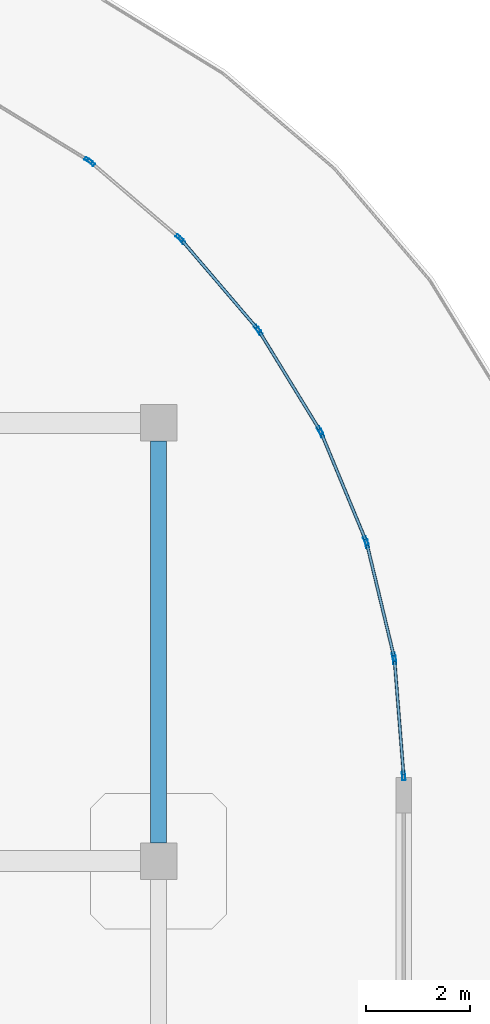
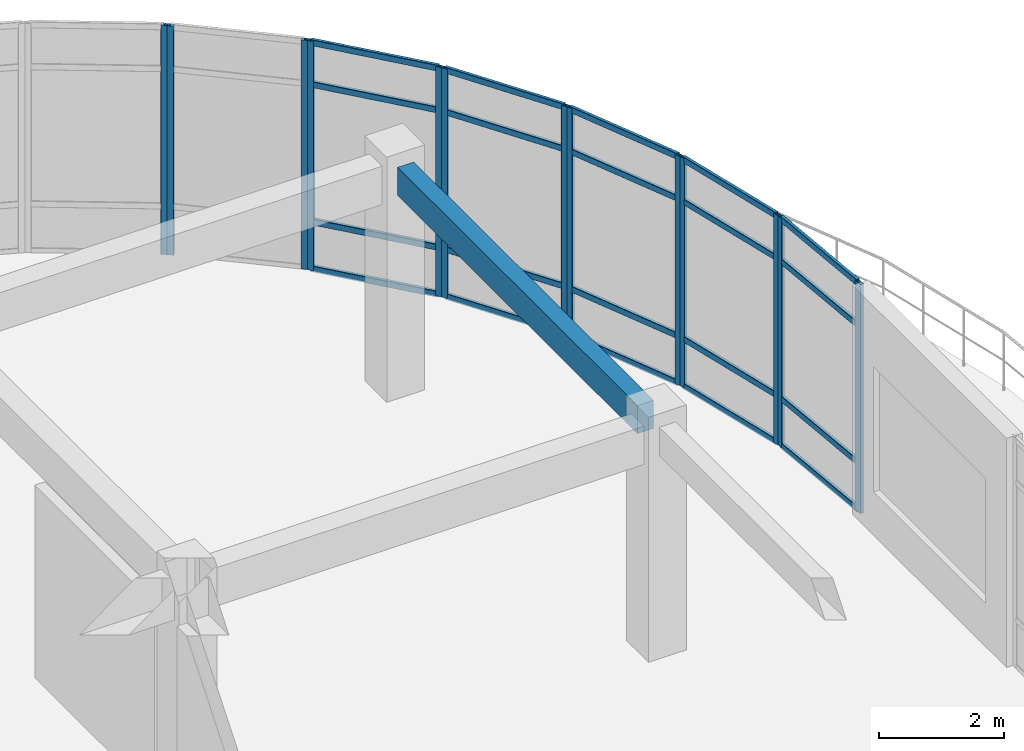
# One storey, part 49 of 76: 33 members, 1 beam, 7 elements without a shape of their own.
"""IFC4 building model written with IfcOpenShell, lengths in metres."""

from ifc_helpers import new_model, si_unit, derived_unit, direction, frame, origin, origin_2d, place, context, subcontext, project, spatial, rectangle, hollow_rectangle, extrude, material, layer, layer_set, material_profile, profile_set, type_object, element, aggregate, save


model = new_model("IFC4")

# Units and contexts
model_context = context("Model", 3, precision=1e-05, world=origin(), true_north=direction((0.0, 1.0)))
body_context = subcontext(model_context, "Body", "Model", "MODEL_VIEW")
ifc_project = project(units=[si_unit("LENGTHUNIT", "METRE"), si_unit("AREAUNIT", "SQUARE_METRE"), si_unit("VOLUMEUNIT", "CUBIC_METRE"), si_unit("PLANEANGLEUNIT", "RADIAN"), si_unit("MASSUNIT", "GRAM", prefix="KILO"), derived_unit("THERMALTRANSMITTANCEUNIT", [(si_unit("MASSUNIT", "GRAM", prefix="KILO"), 1), (si_unit("TIMEUNIT", "SECOND"), -3), (si_unit("THERMODYNAMICTEMPERATUREUNIT", "KELVIN"), -1)])], contexts=[model_context])

# Site, building, storey
site_placement = place(None, origin())
site = spatial("IfcSite", under=ifc_project, at=site_placement, CompositionType="ELEMENT")
building_placement = place(site_placement, origin())
building = spatial("IfcBuilding", under=site, at=building_placement, Name="Qinzheling Arcade Emporium", CompositionType="ELEMENT")
storey_placement = place(building_placement, frame((0.0, 0.0, 26.699951171875)))
storey = spatial("IfcBuildingStorey", under=building, at=storey_placement, Name="L06", CompositionType="ELEMENT", Elevation=26.699951171875)

# Curtain wall, member
ifc_material_1 = material(Name="Anodised aluminium and solar-control double glazing", Category="aluminium")
ifc_layer_1 = layer(ifc_material_1, 0.159912109375, Name="Anodised aluminium and solar-control double glazing", Category="aluminium")
ifc_layer_set_1 = layer_set([ifc_layer_1], Name="Anodised aluminium and solar-control double glazing")
curtain_wall_type_1 = type_object("IfcCurtainWallType", Name="Curved Ribbon Sales Curtain Wall", PredefinedType="NOTDEFINED", material=ifc_layer_set_1)
curtain_wall_1_placement = place(storey_placement, origin())
curtain_wall_1 = element("IfcCurtainWall", 1, at=curtain_wall_1_placement, inside=storey, type_object=curtain_wall_type_1, Name="Curtain Wall CW-L06-386", PredefinedType="NOTDEFINED")
ifc_material_2 = material(Name="Anodised aluminium 6063-T6", Category="aluminium")
ifc_material_profile_1 = material_profile(ifc_material_2, hollow_rectangle(XDim=0.06005859375, YDim=0.159912109375, WallThickness=0.00390625, InnerFilletRadius=0.00390625, OuterFilletRadius=0.008056640625, at=origin_2d()), Name="RHS 160x60x4", Category="aluminium")
ifc_profile_set_1 = profile_set([ifc_material_profile_1], Name="Anodised aluminium 6063-T6")
member_type_1 = type_object("IfcMemberType", Name="Curtain Wall Mullion RHS160x60", PredefinedType="MULLION", material=ifc_profile_set_1)
member_1_placement = place(storey_placement, frame((129.156494140625, 104.027587890625, 0.0), z_axis=(0.0, 0.0, 1.0), x_axis=(0.522367613156, 0.852720397742, 0.0)))
member_1 = element("IfcMember", 2, at=member_1_placement, type_object=member_type_1, Name="CW02 mullion 2", PredefinedType="MULLION", context=body_context, shape_type="SweptSolid", body=[
    extrude(hollow_rectangle(XDim=0.06005859375, YDim=0.159912109375, WallThickness=0.00390625, InnerFilletRadius=0.00390625, OuterFilletRadius=0.008056640625, at=origin_2d()), origin(), (0.0, 0.0, 1.0), 4.489990234375),
])
aggregate(curtain_wall_1, [member_1])

# Curtain wall, members
curtain_wall_2_placement = place(storey_placement, origin())
curtain_wall_2 = element("IfcCurtainWall", 3, at=curtain_wall_2_placement, inside=storey, type_object=curtain_wall_type_1, Name="Curtain Wall CW-L06-387", PredefinedType="NOTDEFINED")
member_2_placement = place(storey_placement, frame((129.204833984375, 103.992431640625, 0.0), z_axis=(0.0, 0.0, 1.0), x_axis=(0.649496365247, 0.7603646964, 0.0)))
member_2 = element("IfcMember", 4, at=member_2_placement, type_object=member_type_1, Name="CW02 mullion 1", PredefinedType="MULLION", context=body_context, shape_type="SweptSolid", body=[
    extrude(hollow_rectangle(XDim=0.06005859375, YDim=0.159912109375, WallThickness=0.00390625, InnerFilletRadius=0.00390625, OuterFilletRadius=0.008056640625, at=origin_2d()), origin(), (0.0, 0.0, 1.0), 4.489990234375),
])
member_3_placement = place(storey_placement, frame((130.901123046875, 102.54345703125, 0.0), z_axis=(0.0, 0.0, 1.0), x_axis=(0.649496365247, 0.7603646964, 0.0)))
member_3 = element("IfcMember", 5, at=member_3_placement, type_object=member_type_1, Name="CW02 mullion 2", PredefinedType="MULLION", context=body_context, shape_type="SweptSolid", body=[
    extrude(hollow_rectangle(XDim=0.06005859375, YDim=0.159912109375, WallThickness=0.00390625, InnerFilletRadius=0.00390625, OuterFilletRadius=0.008056640625, at=origin_2d()), origin(), (0.0, 0.0, 1.0), 4.489990234375),
])
aggregate(curtain_wall_2, [member_2, member_3])

curtain_wall_3_placement = place(storey_placement, origin())
curtain_wall_3 = element("IfcCurtainWall", 6, at=curtain_wall_3_placement, inside=storey, type_object=curtain_wall_type_1, Name="Curtain Wall CW-L06-388", PredefinedType="NOTDEFINED")
member_4_placement = place(storey_placement, frame((130.943603515625, 102.501220703125, 0.0), z_axis=(0.0, 0.0, 1.0), x_axis=(0.7603646964, 0.649496365247, 0.0)))
member_4 = element("IfcMember", 7, at=member_4_placement, type_object=member_type_1, Name="CW02 mullion 1", PredefinedType="MULLION", context=body_context, shape_type="SweptSolid", body=[
    extrude(hollow_rectangle(XDim=0.06005859375, YDim=0.159912109375, WallThickness=0.00390625, InnerFilletRadius=0.00390625, OuterFilletRadius=0.008056640625, at=origin_2d()), origin(), (0.0, 0.0, 1.0), 4.489990234375),
])
member_5_placement = place(storey_placement, frame((132.392578125, 100.804931640625, 0.0), z_axis=(0.0, 0.0, 1.0), x_axis=(0.7603646964, 0.649496365247, 0.0)))
member_5 = element("IfcMember", 8, at=member_5_placement, type_object=member_type_1, Name="CW02 mullion 2", PredefinedType="MULLION", context=body_context, shape_type="SweptSolid", body=[
    extrude(hollow_rectangle(XDim=0.06005859375, YDim=0.159912109375, WallThickness=0.00390625, InnerFilletRadius=0.00390625, OuterFilletRadius=0.008056640625, at=origin_2d()), origin(), (0.0, 0.0, 1.0), 4.489990234375),
])

curtain_wall_4_placement = place(storey_placement, origin())
curtain_wall_4 = element("IfcCurtainWall", 9, at=curtain_wall_4_placement, inside=storey, type_object=curtain_wall_type_1, Name="Curtain Wall CW-L06-389", PredefinedType="NOTDEFINED")
member_6_placement = place(storey_placement, frame((132.427734375, 100.75634765625, 0.0), z_axis=(0.0, 0.0, 1.0), x_axis=(0.852720397742, 0.522367613156, 0.0)))
member_6 = element("IfcMember", 10, at=member_6_placement, type_object=member_type_1, Name="CW02 mullion 1", PredefinedType="MULLION", context=body_context, shape_type="SweptSolid", body=[
    extrude(hollow_rectangle(XDim=0.06005859375, YDim=0.159912109375, WallThickness=0.00390625, InnerFilletRadius=0.00390625, OuterFilletRadius=0.008056640625, at=origin_2d()), origin(), (0.0, 0.0, 1.0), 4.489990234375),
])
member_7_placement = place(storey_placement, frame((133.59326171875, 98.853515625, 0.0), z_axis=(0.0, 0.0, 1.0), x_axis=(0.852720397742, 0.522367613156, 0.0)))
member_7 = element("IfcMember", 11, at=member_7_placement, type_object=member_type_1, Name="CW02 mullion 2", PredefinedType="MULLION", context=body_context, shape_type="SweptSolid", body=[
    extrude(hollow_rectangle(XDim=0.06005859375, YDim=0.159912109375, WallThickness=0.00390625, InnerFilletRadius=0.00390625, OuterFilletRadius=0.008056640625, at=origin_2d()), origin(), (0.0, 0.0, 1.0), 4.489990234375),
])

curtain_wall_5_placement = place(storey_placement, origin())
curtain_wall_5 = element("IfcCurtainWall", 12, at=curtain_wall_5_placement, inside=storey, type_object=curtain_wall_type_1, Name="Curtain Wall CW-L06-390", PredefinedType="NOTDEFINED")
member_8_placement = place(storey_placement, frame((133.620361328125, 98.80029296875, 0.0), z_axis=(0.0, 0.0, 1.0), x_axis=(0.923952984308, 0.382506055886, 0.0)))
member_8 = element("IfcMember", 13, at=member_8_placement, type_object=member_type_1, Name="CW02 mullion 1", PredefinedType="MULLION", context=body_context, shape_type="SweptSolid", body=[
    extrude(hollow_rectangle(XDim=0.06005859375, YDim=0.159912109375, WallThickness=0.00390625, InnerFilletRadius=0.00390625, OuterFilletRadius=0.008056640625, at=origin_2d()), origin(), (0.0, 0.0, 1.0), 4.489990234375),
])
member_9_placement = place(storey_placement, frame((134.4736328125, 96.73974609375, 0.0), z_axis=(0.0, 0.0, 1.0), x_axis=(0.923952984308, 0.382506055886, 0.0)))
member_9 = element("IfcMember", 14, at=member_9_placement, type_object=member_type_1, Name="CW02 mullion 2", PredefinedType="MULLION", context=body_context, shape_type="SweptSolid", body=[
    extrude(hollow_rectangle(XDim=0.06005859375, YDim=0.159912109375, WallThickness=0.00390625, InnerFilletRadius=0.00390625, OuterFilletRadius=0.008056640625, at=origin_2d()), origin(), (0.0, 0.0, 1.0), 4.489990234375),
])

curtain_wall_6_placement = place(storey_placement, origin())
curtain_wall_6 = element("IfcCurtainWall", 15, at=curtain_wall_6_placement, inside=storey, type_object=curtain_wall_type_1, Name="Curtain Wall CW-L06-391", PredefinedType="NOTDEFINED")
member_10_placement = place(storey_placement, frame((134.491943359375, 96.682861328125, 0.0), z_axis=(0.0, 0.0, 1.0), x_axis=(0.972359564501, 0.233488495058, 0.0)))
member_10 = element("IfcMember", 16, at=member_10_placement, type_object=member_type_1, Name="CW02 mullion 1", PredefinedType="MULLION", context=body_context, shape_type="SweptSolid", body=[
    extrude(hollow_rectangle(XDim=0.06005859375, YDim=0.159912109375, WallThickness=0.00390625, InnerFilletRadius=0.00390625, OuterFilletRadius=0.008056640625, at=origin_2d()), origin(), (0.0, 0.0, 1.0), 4.489990234375),
])
member_11_placement = place(storey_placement, frame((135.012939453125, 94.51318359375, 0.0), z_axis=(0.0, 0.0, 1.0), x_axis=(0.972359564501, 0.233488495058, 0.0)))
member_11 = element("IfcMember", 17, at=member_11_placement, type_object=member_type_1, Name="CW02 mullion 2", PredefinedType="MULLION", context=body_context, shape_type="SweptSolid", body=[
    extrude(hollow_rectangle(XDim=0.06005859375, YDim=0.159912109375, WallThickness=0.00390625, InnerFilletRadius=0.00390625, OuterFilletRadius=0.008056640625, at=origin_2d()), origin(), (0.0, 0.0, 1.0), 4.489990234375),
])

ifc_layer_2 = layer(ifc_material_1, 0.159912109375, Name="Anodised aluminium and solar-control double glazing", Category="aluminium")
ifc_layer_set_2 = layer_set([ifc_layer_2], Name="Anodised aluminium and solar-control double glazing")
curtain_wall_type_2 = type_object("IfcCurtainWallType", Name="Arcade Portal Glazed Curtain Wall", PredefinedType="NOTDEFINED", material=ifc_layer_set_2)
curtain_wall_7_placement = place(storey_placement, origin())
curtain_wall_7 = element("IfcCurtainWall", 18, at=curtain_wall_7_placement, inside=storey, type_object=curtain_wall_type_2, Name="Curtain Wall CW-L06-392", PredefinedType="NOTDEFINED")
member_12_placement = place(storey_placement, frame((135.0224609375, 94.4541015625, 0.0), z_axis=(0.0, 0.0, 1.0), x_axis=(0.99690895349, 0.07856550421, 0.0)))
member_12 = element("IfcMember", 19, at=member_12_placement, type_object=member_type_1, Name="CW05 mullion 1", PredefinedType="MULLION", context=body_context, shape_type="SweptSolid", body=[
    extrude(hollow_rectangle(XDim=0.06005859375, YDim=0.159912109375, WallThickness=0.00390625, InnerFilletRadius=0.00390625, OuterFilletRadius=0.008056640625, at=origin_2d()), origin(), (0.0, 0.0, 1.0), 4.489990234375),
])
member_13_placement = place(storey_placement, frame((135.19775390625, 92.22998046875, 0.0), z_axis=(0.0, 0.0, 1.0), x_axis=(0.99690895349, 0.07856550421, 0.0)))
member_13 = element("IfcMember", 20, at=member_13_placement, type_object=member_type_1, Name="CW05 mullion 2", PredefinedType="MULLION", context=body_context, shape_type="SweptSolid", body=[
    extrude(hollow_rectangle(XDim=0.06005859375, YDim=0.159912109375, WallThickness=0.00390625, InnerFilletRadius=0.00390625, OuterFilletRadius=0.008056640625, at=origin_2d()), origin(), (0.0, 0.0, 1.0), 4.489990234375),
])

# Member
ifc_material_profile_2 = material_profile(ifc_material_2, hollow_rectangle(XDim=0.06005859375, YDim=0.1201171875, WallThickness=0.00390625, InnerFilletRadius=0.00390625, OuterFilletRadius=0.008056640625, at=origin_2d()), Name="RHS 120x60x4", Category="aluminium")
ifc_profile_set_2 = profile_set([ifc_material_profile_2], Name="Anodised aluminium 6063-T6")
member_type_2 = type_object("IfcMemberType", Name="Curtain Wall Transom RHS120x60", PredefinedType="USERDEFINED", material=ifc_profile_set_2)
member_14_placement = place(storey_placement, frame((130.962890625, 102.478271484375, 0.030029296875), z_axis=(0.649549512129, -0.760319295621, 0.0), x_axis=(0.760319295621, 0.649549512129, 0.0)))
member_14 = element("IfcMember", 21, at=member_14_placement, type_object=member_type_2, Name="CW02 transom 1.1", ObjectType="TRANSOM", PredefinedType="USERDEFINED", context=body_context, shape_type="SweptSolid", body=[
    extrude(hollow_rectangle(XDim=0.06005859375, YDim=0.1201171875, WallThickness=0.00390625, InnerFilletRadius=0.00390625, OuterFilletRadius=0.008056640625, at=origin_2d()), origin(), (0.0, 0.0, 1.0), 2.1708984375),
])

member_15_placement = place(storey_placement, frame((130.962890625, 102.478271484375, 0.949951171875), z_axis=(0.649549512129, -0.760319295621, 0.0), x_axis=(0.760319295621, 0.649549512129, 0.0)))
member_15 = element("IfcMember", 22, at=member_15_placement, type_object=member_type_2, Name="CW02 transom 1.2", ObjectType="TRANSOM", PredefinedType="USERDEFINED", context=body_context, shape_type="SweptSolid", body=[
    extrude(hollow_rectangle(XDim=0.06005859375, YDim=0.1201171875, WallThickness=0.00390625, InnerFilletRadius=0.00390625, OuterFilletRadius=0.008056640625, at=origin_2d()), origin(), (0.0, 0.0, 1.0), 2.1708984375),
])

member_16_placement = place(storey_placement, frame((130.962890625, 102.478271484375, 3.64013671875), z_axis=(0.649549512129, -0.760319295621, 0.0), x_axis=(0.760319295621, 0.649549512129, 0.0)))
member_16 = element("IfcMember", 23, at=member_16_placement, type_object=member_type_2, Name="CW02 transom 1.3", ObjectType="TRANSOM", PredefinedType="USERDEFINED", context=body_context, shape_type="SweptSolid", body=[
    extrude(hollow_rectangle(XDim=0.06005859375, YDim=0.1201171875, WallThickness=0.00390625, InnerFilletRadius=0.00390625, OuterFilletRadius=0.008056640625, at=origin_2d()), origin(), (0.0, 0.0, 1.0), 2.1708984375),
])

member_17_placement = place(storey_placement, frame((130.962890625, 102.478271484375, 4.4599609375), z_axis=(0.649549512129, -0.760319295621, 0.0), x_axis=(0.760319295621, 0.649549512129, 0.0)))
member_17 = element("IfcMember", 24, at=member_17_placement, type_object=member_type_2, Name="CW02 transom 1.4", ObjectType="TRANSOM", PredefinedType="USERDEFINED", context=body_context, shape_type="SweptSolid", body=[
    extrude(hollow_rectangle(XDim=0.06005859375, YDim=0.1201171875, WallThickness=0.00390625, InnerFilletRadius=0.00390625, OuterFilletRadius=0.008056640625, at=origin_2d()), origin(), (0.0, 0.0, 1.0), 2.1708984375),
])

aggregate(curtain_wall_3, [member_4, member_5, member_14, member_15, member_16, member_17])

member_18_placement = place(storey_placement, frame((132.443359375, 100.73095703125, 0.030029296875), z_axis=(0.522327407972, -0.852745025715, 0.0), x_axis=(0.852745025715, 0.522327407972, 0.0)))
member_18 = element("IfcMember", 25, at=member_18_placement, type_object=member_type_2, Name="CW02 transom 1.1", ObjectType="TRANSOM", PredefinedType="USERDEFINED", context=body_context, shape_type="SweptSolid", body=[
    extrude(hollow_rectangle(XDim=0.06005859375, YDim=0.1201171875, WallThickness=0.00390625, InnerFilletRadius=0.00390625, OuterFilletRadius=0.008056640625, at=origin_2d()), origin(), (0.0, 0.0, 1.0), 2.171630859375),
])

member_19_placement = place(storey_placement, frame((132.443359375, 100.73095703125, 0.949951171875), z_axis=(0.522327407972, -0.852745025715, 0.0), x_axis=(0.852745025715, 0.522327407972, 0.0)))
member_19 = element("IfcMember", 26, at=member_19_placement, type_object=member_type_2, Name="CW02 transom 1.2", ObjectType="TRANSOM", PredefinedType="USERDEFINED", context=body_context, shape_type="SweptSolid", body=[
    extrude(hollow_rectangle(XDim=0.06005859375, YDim=0.1201171875, WallThickness=0.00390625, InnerFilletRadius=0.00390625, OuterFilletRadius=0.008056640625, at=origin_2d()), origin(), (0.0, 0.0, 1.0), 2.171630859375),
])

member_20_placement = place(storey_placement, frame((132.443359375, 100.73095703125, 3.64013671875), z_axis=(0.522327407972, -0.852745025715, 0.0), x_axis=(0.852745025715, 0.522327407972, 0.0)))
member_20 = element("IfcMember", 27, at=member_20_placement, type_object=member_type_2, Name="CW02 transom 1.3", ObjectType="TRANSOM", PredefinedType="USERDEFINED", context=body_context, shape_type="SweptSolid", body=[
    extrude(hollow_rectangle(XDim=0.06005859375, YDim=0.1201171875, WallThickness=0.00390625, InnerFilletRadius=0.00390625, OuterFilletRadius=0.008056640625, at=origin_2d()), origin(), (0.0, 0.0, 1.0), 2.171630859375),
])

member_21_placement = place(storey_placement, frame((132.443359375, 100.73095703125, 4.4599609375), z_axis=(0.522327407972, -0.852745025715, 0.0), x_axis=(0.852745025715, 0.522327407972, 0.0)))
member_21 = element("IfcMember", 28, at=member_21_placement, type_object=member_type_2, Name="CW02 transom 1.4", ObjectType="TRANSOM", PredefinedType="USERDEFINED", context=body_context, shape_type="SweptSolid", body=[
    extrude(hollow_rectangle(XDim=0.06005859375, YDim=0.1201171875, WallThickness=0.00390625, InnerFilletRadius=0.00390625, OuterFilletRadius=0.008056640625, at=origin_2d()), origin(), (0.0, 0.0, 1.0), 2.171630859375),
])

aggregate(curtain_wall_4, [member_6, member_7, member_18, member_19, member_20, member_21])

member_22_placement = place(storey_placement, frame((133.6318359375, 98.7724609375, 0.030029296875), z_axis=(0.382593557007, -0.923916754982, 0.0), x_axis=(0.923916754982, 0.382593557007, 0.0)))
member_22 = element("IfcMember", 29, at=member_22_placement, type_object=member_type_2, Name="CW02 transom 1.1", ObjectType="TRANSOM", PredefinedType="USERDEFINED", context=body_context, shape_type="SweptSolid", body=[
    extrude(hollow_rectangle(XDim=0.06005859375, YDim=0.1201171875, WallThickness=0.00390625, InnerFilletRadius=0.00390625, OuterFilletRadius=0.008056640625, at=origin_2d()), origin(), (0.0, 0.0, 1.0), 2.170166015625),
])

member_23_placement = place(storey_placement, frame((133.6318359375, 98.7724609375, 0.949951171875), z_axis=(0.382593557007, -0.923916754982, 0.0), x_axis=(0.923916754982, 0.382593557007, 0.0)))
member_23 = element("IfcMember", 30, at=member_23_placement, type_object=member_type_2, Name="CW02 transom 1.2", ObjectType="TRANSOM", PredefinedType="USERDEFINED", context=body_context, shape_type="SweptSolid", body=[
    extrude(hollow_rectangle(XDim=0.06005859375, YDim=0.1201171875, WallThickness=0.00390625, InnerFilletRadius=0.00390625, OuterFilletRadius=0.008056640625, at=origin_2d()), origin(), (0.0, 0.0, 1.0), 2.170166015625),
])

member_24_placement = place(storey_placement, frame((133.6318359375, 98.7724609375, 3.64013671875), z_axis=(0.382593557007, -0.923916754982, 0.0), x_axis=(0.923916754982, 0.382593557007, 0.0)))
member_24 = element("IfcMember", 31, at=member_24_placement, type_object=member_type_2, Name="CW02 transom 1.3", ObjectType="TRANSOM", PredefinedType="USERDEFINED", context=body_context, shape_type="SweptSolid", body=[
    extrude(hollow_rectangle(XDim=0.06005859375, YDim=0.1201171875, WallThickness=0.00390625, InnerFilletRadius=0.00390625, OuterFilletRadius=0.008056640625, at=origin_2d()), origin(), (0.0, 0.0, 1.0), 2.170166015625),
])

member_25_placement = place(storey_placement, frame((133.6318359375, 98.7724609375, 4.4599609375), z_axis=(0.382593557007, -0.923916754982, 0.0), x_axis=(0.923916754982, 0.382593557007, 0.0)))
member_25 = element("IfcMember", 32, at=member_25_placement, type_object=member_type_2, Name="CW02 transom 1.4", ObjectType="TRANSOM", PredefinedType="USERDEFINED", context=body_context, shape_type="SweptSolid", body=[
    extrude(hollow_rectangle(XDim=0.06005859375, YDim=0.1201171875, WallThickness=0.00390625, InnerFilletRadius=0.00390625, OuterFilletRadius=0.008056640625, at=origin_2d()), origin(), (0.0, 0.0, 1.0), 2.170166015625),
])

aggregate(curtain_wall_5, [member_8, member_9, member_22, member_23, member_24, member_25])

member_26_placement = place(storey_placement, frame((134.4990234375, 96.653564453125, 0.030029296875), z_axis=(0.233530292265, -0.972349526968, 0.0), x_axis=(0.972349526968, 0.233530292265, 0.0)))
member_26 = element("IfcMember", 33, at=member_26_placement, type_object=member_type_2, Name="CW02 transom 1.1", ObjectType="TRANSOM", PredefinedType="USERDEFINED", context=body_context, shape_type="SweptSolid", body=[
    extrude(hollow_rectangle(XDim=0.06005859375, YDim=0.1201171875, WallThickness=0.00390625, InnerFilletRadius=0.00390625, OuterFilletRadius=0.008056640625, at=origin_2d()), origin(), (0.0, 0.0, 1.0), 2.17138671875),
])

member_27_placement = place(storey_placement, frame((134.4990234375, 96.653564453125, 0.949951171875), z_axis=(0.233530292265, -0.972349526968, 0.0), x_axis=(0.972349526968, 0.233530292265, 0.0)))
member_27 = element("IfcMember", 34, at=member_27_placement, type_object=member_type_2, Name="CW02 transom 1.2", ObjectType="TRANSOM", PredefinedType="USERDEFINED", context=body_context, shape_type="SweptSolid", body=[
    extrude(hollow_rectangle(XDim=0.06005859375, YDim=0.1201171875, WallThickness=0.00390625, InnerFilletRadius=0.00390625, OuterFilletRadius=0.008056640625, at=origin_2d()), origin(), (0.0, 0.0, 1.0), 2.17138671875),
])

member_28_placement = place(storey_placement, frame((134.4990234375, 96.653564453125, 3.64013671875), z_axis=(0.233530292265, -0.972349526968, 0.0), x_axis=(0.972349526968, 0.233530292265, 0.0)))
member_28 = element("IfcMember", 35, at=member_28_placement, type_object=member_type_2, Name="CW02 transom 1.3", ObjectType="TRANSOM", PredefinedType="USERDEFINED", context=body_context, shape_type="SweptSolid", body=[
    extrude(hollow_rectangle(XDim=0.06005859375, YDim=0.1201171875, WallThickness=0.00390625, InnerFilletRadius=0.00390625, OuterFilletRadius=0.008056640625, at=origin_2d()), origin(), (0.0, 0.0, 1.0), 2.17138671875),
])

member_29_placement = place(storey_placement, frame((134.4990234375, 96.653564453125, 4.4599609375), z_axis=(0.233530292265, -0.972349526968, 0.0), x_axis=(0.972349526968, 0.233530292265, 0.0)))
member_29 = element("IfcMember", 36, at=member_29_placement, type_object=member_type_2, Name="CW02 transom 1.4", ObjectType="TRANSOM", PredefinedType="USERDEFINED", context=body_context, shape_type="SweptSolid", body=[
    extrude(hollow_rectangle(XDim=0.06005859375, YDim=0.1201171875, WallThickness=0.00390625, InnerFilletRadius=0.00390625, OuterFilletRadius=0.008056640625, at=origin_2d()), origin(), (0.0, 0.0, 1.0), 2.17138671875),
])

aggregate(curtain_wall_6, [member_10, member_11, member_26, member_27, member_28, member_29])

member_30_placement = place(storey_placement, frame((135.024658203125, 94.424072265625, 0.030029296875), z_axis=(0.078605432417, -0.996905805979, 0.0), x_axis=(0.996905805979, 0.078605432417, 0.0)))
member_30 = element("IfcMember", 37, at=member_30_placement, type_object=member_type_2, Name="CW05 transom 1.1", ObjectType="TRANSOM", PredefinedType="USERDEFINED", context=body_context, shape_type="SweptSolid", body=[
    extrude(hollow_rectangle(XDim=0.06005859375, YDim=0.1201171875, WallThickness=0.00390625, InnerFilletRadius=0.00390625, OuterFilletRadius=0.008056640625, at=origin_2d()), origin(), (0.0, 0.0, 1.0), 2.171142578125),
])

member_31_placement = place(storey_placement, frame((135.024658203125, 94.424072265625, 0.949951171875), z_axis=(0.078605432417, -0.996905805979, 0.0), x_axis=(0.996905805979, 0.078605432417, 0.0)))
member_31 = element("IfcMember", 38, at=member_31_placement, type_object=member_type_2, Name="CW05 transom 1.2", ObjectType="TRANSOM", PredefinedType="USERDEFINED", context=body_context, shape_type="SweptSolid", body=[
    extrude(hollow_rectangle(XDim=0.06005859375, YDim=0.1201171875, WallThickness=0.00390625, InnerFilletRadius=0.00390625, OuterFilletRadius=0.008056640625, at=origin_2d()), origin(), (0.0, 0.0, 1.0), 2.171142578125),
])

member_32_placement = place(storey_placement, frame((135.024658203125, 94.424072265625, 3.64013671875), z_axis=(0.078605432417, -0.996905805979, 0.0), x_axis=(0.996905805979, 0.078605432417, 0.0)))
member_32 = element("IfcMember", 39, at=member_32_placement, type_object=member_type_2, Name="CW05 transom 1.3", ObjectType="TRANSOM", PredefinedType="USERDEFINED", context=body_context, shape_type="SweptSolid", body=[
    extrude(hollow_rectangle(XDim=0.06005859375, YDim=0.1201171875, WallThickness=0.00390625, InnerFilletRadius=0.00390625, OuterFilletRadius=0.008056640625, at=origin_2d()), origin(), (0.0, 0.0, 1.0), 2.171142578125),
])

member_33_placement = place(storey_placement, frame((135.024658203125, 94.424072265625, 4.4599609375), z_axis=(0.078605432417, -0.996905805979, 0.0), x_axis=(0.996905805979, 0.078605432417, 0.0)))
member_33 = element("IfcMember", 40, at=member_33_placement, type_object=member_type_2, Name="CW05 transom 1.4", ObjectType="TRANSOM", PredefinedType="USERDEFINED", context=body_context, shape_type="SweptSolid", body=[
    extrude(hollow_rectangle(XDim=0.06005859375, YDim=0.1201171875, WallThickness=0.00390625, InnerFilletRadius=0.00390625, OuterFilletRadius=0.008056640625, at=origin_2d()), origin(), (0.0, 0.0, 1.0), 2.171142578125),
])

aggregate(curtain_wall_7, [member_12, member_13, member_30, member_31, member_32, member_33])

# Beam
ifc_material_3 = material(Name="Concrete C40", Category="concrete")
ifc_material_profile_3 = material_profile(ifc_material_3, rectangle(XDim=0.300048828125, YDim=0.550048828125, at=origin_2d()), Name="RC 300x550", Category="concrete")
ifc_profile_set_3 = profile_set([ifc_material_profile_3], Name="Concrete C40")
beam_type = type_object("IfcBeamType", Name="RC Terrace Spandrel Beam 300x550 C40", PredefinedType="SPANDREL", material=ifc_profile_set_3)
beam_placement = place(storey_placement, frame((130.5, 90.949951171875, 4.260009765625), z_axis=(0.0, 1.0, 0.0), x_axis=(-1.0, 0.0, 0.0)))
element("IfcBeam", 41, at=beam_placement, inside=storey, type_object=beam_type, Name="Beam BM-L06-Y-16-L", PredefinedType="SPANDREL", context=body_context, shape_type="SweptSolid", body=[
    extrude(rectangle(XDim=0.300048828125, YDim=0.550048828125, at=origin_2d()), origin(), (0.0, 0.0, 1.0), 7.699951171875),
])

save(model, "model.ifc")
